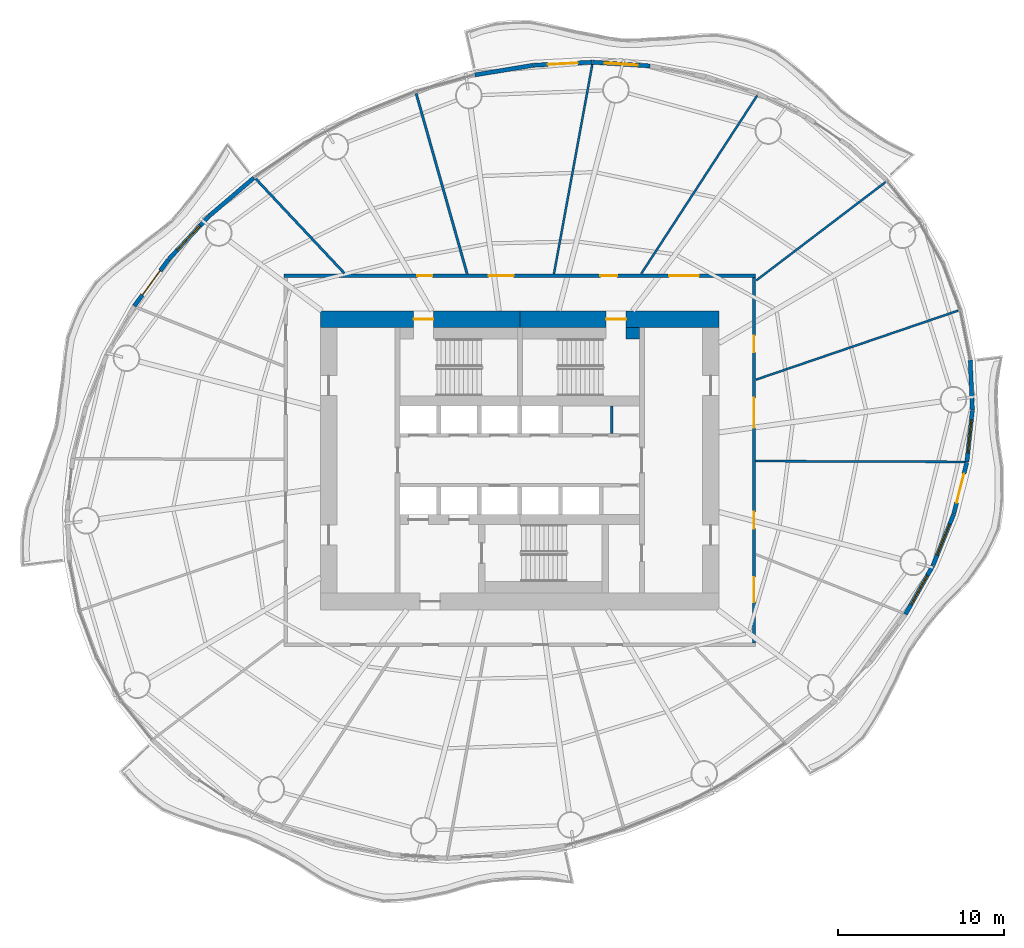
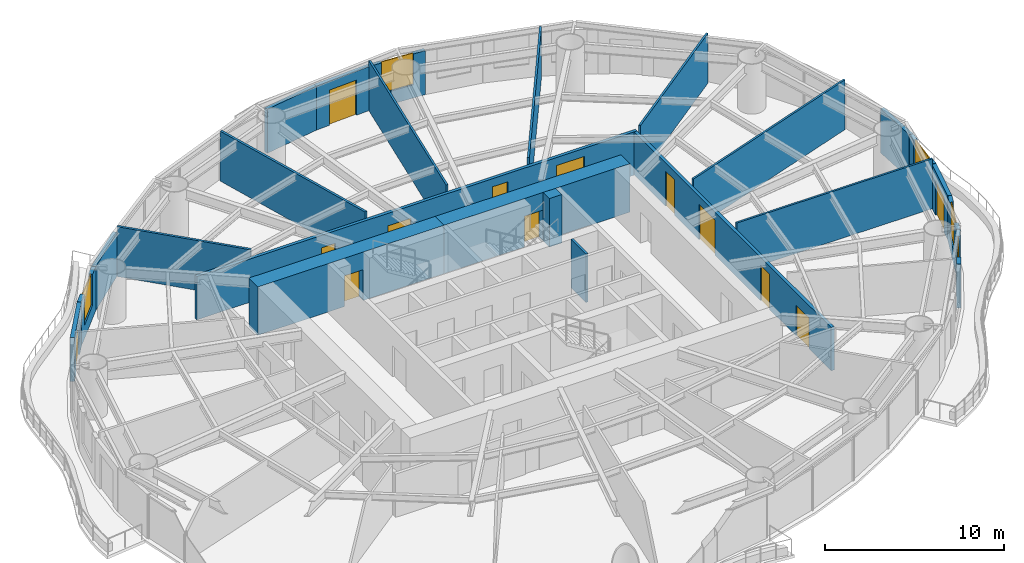
# One storey, part 10 of 14: 24 walls, 13 doors, 5 windows, 18 openings.
"""IFC4 building model written with IfcOpenShell, lengths in metres."""

from ifc_helpers import new_model, si_unit, direction, frame, frame_2d, origin, place, context, subcontext, project, spatial, rectangle, extrude, material, layer, layer_set, type_object, element, fill, save


model = new_model("IFC4")

# Units and contexts
model_context = context("Model", 3, precision=1e-05, world=origin(), true_north=direction((0.0, 1.0)))
body_context = subcontext(model_context, "Body", "Model", "MODEL_VIEW")
ifc_project = project(units=[si_unit("LENGTHUNIT", "METRE"), si_unit("AREAUNIT", "SQUARE_METRE"), si_unit("VOLUMEUNIT", "CUBIC_METRE"), si_unit("PLANEANGLEUNIT", "RADIAN"), si_unit("MASSUNIT", "GRAM", prefix="KILO")], contexts=[model_context])

# Site, building, storey
site_placement = place(None, origin())
site = spatial("IfcSite", under=ifc_project, at=site_placement, CompositionType="ELEMENT")
building_placement = place(site_placement, origin())
building = spatial("IfcBuilding", under=site, at=building_placement, Name="Vermilion Reach Broadcast Tower", CompositionType="ELEMENT")
storey_placement = place(building_placement, frame((0.0, 0.0, 131.800048828125)))
storey = spatial("IfcBuildingStorey", under=building, at=storey_placement, Name="L31", CompositionType="ELEMENT", Elevation=131.800048828125)

# Wall, opening, door
ifc_material_1 = material(Name="Concrete C70", Category="concrete")
ifc_layer_1 = layer(ifc_material_1, 1.0)
ifc_layer_set_1 = layer_set([ifc_layer_1], Name="Core outer wall 1000 mm Concrete C70")
wall_type_1 = type_object("IfcWallType", Name="Core outer wall 1000 mm Concrete C70", PredefinedType="SHEAR", material=ifc_layer_set_1)
wall_1_placement = place(storey_placement, frame((6.0, 8.5, 0.0), z_axis=(0.0, 0.0, 1.0), x_axis=(-1.0, 0.0, 0.0)))
wall_1 = element("IfcWall", 1, at=wall_1_placement, inside=storey, type_object=wall_type_1, Name="L31 core wall onE", PredefinedType="SHEAR", context=body_context, shape_type="SweptSolid", body=[
    extrude(rectangle(XDim=12.0, YDim=1.0, at=frame_2d((6.0, 0.0))), origin(), (0.0, 0.0, 1.0), 3.300048828125),
])
opening_1_placement = place(wall_1_placement, frame((5.60009765625, 0.0, 0.0)))
opening_1 = element("IfcOpeningElement", 2, at=opening_1_placement, cuts=wall_1, Name="Opening D01", PredefinedType="OPENING", context=body_context, shape_type="SweptSolid", body=[
    extrude(rectangle(XDim=1.199951171875, YDim=2.10009765625, at=frame_2d((0.60009765625, 1.050048828125))), frame((0.0, 0.510009765625, 0.0), z_axis=(0.0, -1.0, 0.0), x_axis=(1.0, 0.0, 0.0)), (0.0, 0.0, 1.0), 1.02001953125),
])
ifc_material_2 = material(Name="Painted steel fire door", Category="steel")
door_type_1 = type_object("IfcDoorType", Name="Stair door 1200 x 2100", OperationType="DOUBLE_DOOR_SINGLE_SWING", PredefinedType="NOTDEFINED", material=ifc_material_2)
door_1_placement = place(opening_1_placement, origin())
door_1 = element("IfcDoor", 3, at=door_1_placement, inside=storey, type_object=door_type_1, Name="L31 stair door ST2", OperationType="DOUBLE_DOOR_SINGLE_SWING", OverallHeight=2.10009765625, OverallWidth=1.199951171875, PredefinedType="NOTDEFINED", context=body_context, shape_type="SweptSolid", body=[
    extrude(rectangle(XDim=1.199951171875, YDim=2.10009765625, at=frame_2d((0.60009765625, 1.050048828125))), frame((0.0, 0.02490234375, 0.0), z_axis=(0.0, -1.0, 0.0), x_axis=(1.0, 0.0, 0.0)), (0.0, 0.0, 1.0), 0.050048828125),
])
fill(opening_1, door_1)

wall_2_placement = place(storey_placement, frame((-6.0, 8.5, 0.0), z_axis=(0.0, 0.0, 1.0), x_axis=(-1.0, 0.0, 0.0)))
wall_2 = element("IfcWall", 4, at=wall_2_placement, inside=storey, type_object=wall_type_1, Name="L31 core wall onW", PredefinedType="SHEAR", context=body_context, shape_type="SweptSolid", body=[
    extrude(rectangle(XDim=12.0, YDim=1.0, at=frame_2d((6.0, 0.0))), origin(), (0.0, 0.0, 1.0), 3.300048828125),
])
opening_2_placement = place(wall_2_placement, frame((5.199951171875, 0.0, 0.0)))
opening_2 = element("IfcOpeningElement", 5, at=opening_2_placement, cuts=wall_2, Name="Opening D01", PredefinedType="OPENING", context=body_context, shape_type="SweptSolid", body=[
    extrude(rectangle(XDim=1.199951171875, YDim=2.10009765625, at=frame_2d((0.60009765625, 1.050048828125))), frame((0.0, 0.510009765625, 0.0), z_axis=(0.0, -1.0, 0.0), x_axis=(1.0, 0.0, 0.0)), (0.0, 0.0, 1.0), 1.02001953125),
])
door_2_placement = place(opening_2_placement, origin())
door_2 = element("IfcDoor", 6, at=door_2_placement, inside=storey, type_object=door_type_1, Name="L31 stair door ST1", OperationType="DOUBLE_DOOR_SINGLE_SWING", OverallHeight=2.10009765625, OverallWidth=1.199951171875, PredefinedType="NOTDEFINED", context=body_context, shape_type="SweptSolid", body=[
    extrude(rectangle(XDim=1.199951171875, YDim=2.10009765625, at=frame_2d((0.60009765625, 1.050048828125))), frame((0.0, 0.02490234375, 0.0), z_axis=(0.0, -1.0, 0.0), x_axis=(1.0, 0.0, 0.0)), (0.0, 0.0, 1.0), 0.050048828125),
])
fill(opening_2, door_2)

# Walls
ifc_material_3 = material(Name="Masonry block", Category="masonry")
ifc_layer_2 = layer(ifc_material_3, 0.14990234375)
ifc_layer_set_2 = layer_set([ifc_layer_2], Name="Core partition wall 150 mm Masonry block")
wall_type_2 = type_object("IfcWallType", Name="Core partition wall 150 mm Masonry block", PredefinedType="PARTITIONING", material=ifc_layer_set_2)
wall_3_placement = place(storey_placement, frame((-0.468017578125, 1.60009765625, 0.0), z_axis=(0.0, 0.0, 1.0), x_axis=(0.0, 1.0, 0.0)))
element("IfcWall", 7, at=wall_3_placement, inside=storey, type_object=wall_type_2, Name="L31 core wall prN5532", PredefinedType="PARTITIONING", context=body_context, shape_type="SweptSolid", body=[
    extrude(rectangle(XDim=1.679931640625, YDim=0.14990234375, at=frame_2d((0.83984375, 0.0))), origin(), (0.0, 0.0, 1.0), 3.300048828125),
])
ifc_material_4 = material(Name="Concrete C70", Category="concrete")
ifc_layer_3 = layer(ifc_material_4, 0.699951171875)
ifc_layer_set_3 = layer_set([ifc_layer_3], Name="Core stair wall 700 mm Concrete C70")
wall_type_3 = type_object("IfcWallType", Name="Core stair wall 700 mm Concrete C70", PredefinedType="SHEAR", material=ifc_layer_set_3)
wall_4_placement = place(storey_placement, frame((0.39990234375, 7.64990234375, 0.0), z_axis=(0.0, 0.0, 1.0), x_axis=(1.0, 0.0, 0.0)))
element("IfcWall", 8, at=wall_4_placement, inside=storey, type_object=wall_type_3, Name="L31 core wall l2b", PredefinedType="SHEAR", context=body_context, shape_type="SweptSolid", body=[
    extrude(rectangle(XDim=0.800048828125, YDim=0.699951171875, at=frame_2d((0.39990234375, 0.0))), origin(), (0.0, 0.0, 1.0), 3.300048828125),
])
ifc_material_5 = material(Name="Fire-rated plasterboard on steel stud", Category="steel")
ifc_layer_4 = layer(ifc_material_5, 0.125)
ifc_layer_set_4 = layer_set([ifc_layer_4], Name="Partition 125 fire-rated stud")
wall_type_4 = type_object("IfcWallType", Name="Partition 125 fire-rated stud", PredefinedType="PARTITIONING", material=ifc_layer_set_4)
wall_5_placement = place(storey_placement, frame((16.01953125, 16.747802734375, 0.0), z_axis=(0.0, 0.0, 1.0), x_axis=(-0.795936459637, -0.605380171644, 0.0)))
element("IfcWall", 9, at=wall_5_placement, inside=storey, type_object=wall_type_4, Name="Partition 31.01", PredefinedType="PARTITIONING", context=body_context, shape_type="SweptSolid", body=[
    extrude(rectangle(XDim=9.77685546875, YDim=0.125, at=frame_2d((4.888427734375, 0.0))), origin(), (0.0, 0.0, 1.0), 3.39990234375),
])
wall_6_placement = place(storey_placement, frame((8.291015625, 21.959228515625, 0.0), z_axis=(0.0, 0.0, 1.0), x_axis=(-0.545464395773, -0.838133994624, 0.0)))
element("IfcWall", 10, at=wall_6_placement, inside=storey, type_object=wall_type_4, Name="Partition 31.02", PredefinedType="PARTITIONING", context=body_context, shape_type="SweptSolid", body=[
    extrude(rectangle(XDim=12.79638671875, YDim=0.125, at=frame_2d((6.398193359375, 0.0))), origin(), (0.0, 0.0, 1.0), 3.39990234375),
])
wall_7_placement = place(storey_placement, frame((-1.633544921875, 23.841064453125, 0.0), z_axis=(0.0, 0.0, 1.0), x_axis=(-0.180140227772, -0.983640939743, 0.0)))
element("IfcWall", 11, at=wall_7_placement, inside=storey, type_object=wall_type_4, Name="Partition 31.03", PredefinedType="PARTITIONING", context=body_context, shape_type="SweptSolid", body=[
    extrude(rectangle(XDim=12.83984375, YDim=0.125, at=frame_2d((6.419921875, 0.0))), origin(), (0.0, 0.0, 1.0), 3.39990234375),
])
wall_8_placement = place(storey_placement, frame((20.7919921875, -0.09521484375, 0.0), z_axis=(0.0, 0.0, 1.0), x_axis=(-0.999993705333, 0.003548139601, 0.0)))
element("IfcWall", 12, at=wall_8_placement, inside=storey, type_object=wall_type_4, Name="Partition 31.15", PredefinedType="PARTITIONING", context=body_context, shape_type="SweptSolid", body=[
    extrude(rectangle(XDim=12.591796875, YDim=0.125, at=frame_2d((6.2958984375, 0.0))), origin(), (0.0, 0.0, 1.0), 3.39990234375),
])
wall_9_placement = place(storey_placement, frame((20.402099609375, 9.0126953125, 0.0), z_axis=(0.0, 0.0, 1.0), x_axis=(-0.946378852939, -0.32305892142, 0.0)))
element("IfcWall", 13, at=wall_9_placement, inside=storey, type_object=wall_type_4, Name="Partition 31.16", PredefinedType="PARTITIONING", context=body_context, shape_type="SweptSolid", body=[
    extrude(rectangle(XDim=12.8720703125, YDim=0.125, at=frame_2d((6.43603515625, 0.0))), origin(), (0.0, 0.0, 1.0), 3.39990234375),
])
ifc_material_6 = material(Name="Lightweight concrete block, plastered", Category="concrete")
ifc_layer_5 = layer(ifc_material_6, 0.14990234375)
ifc_layer_set_5 = layer_set([ifc_layer_5], Name="Partition 150 lightweight block")
wall_type_5 = type_object("IfcWallType", Name="Partition 150 lightweight block", PredefinedType="PARTITIONING", material=ifc_layer_set_5)
wall_10_placement = place(storey_placement, frame((-12.2392578125, 22.081787109375, 0.0), z_axis=(0.0, 0.0, 1.0), x_axis=(0.271903007498, -0.962324661699, 0.0)))
element("IfcWall", 14, at=wall_10_placement, inside=storey, type_object=wall_type_5, Name="Partition 31.04", PredefinedType="PARTITIONING", context=body_context, shape_type="SweptSolid", body=[
    extrude(rectangle(XDim=11.28662109375, YDim=0.14990234375, at=frame_2d((5.643310546875, 0.0))), origin(), (0.0, 0.0, 1.0), 3.39990234375),
])
wall_11_placement = place(storey_placement, frame((-21.893310546875, 16.94140625, 0.0), z_axis=(0.0, 0.0, 1.0), x_axis=(0.684185696534, -0.729307844917, 0.0)))
element("IfcWall", 15, at=wall_11_placement, inside=storey, type_object=wall_type_5, Name="Partition 31.05", PredefinedType="PARTITIONING", context=body_context, shape_type="SweptSolid", body=[
    extrude(rectangle(XDim=7.80224609375, YDim=0.14990234375, at=frame_2d((3.901123046875, 0.0))), origin(), (0.0, 0.0, 1.0), 3.39990234375),
])

# Wall, opening, window
ifc_material_7 = material(Name="Terracotta rainscreen cladding", Category="masonry")
ifc_layer_6 = layer(ifc_material_7, 0.25)
ifc_layer_set_6 = layer_set([ifc_layer_6], Name="Terracotta rainscreen wall 250")
wall_type_6 = type_object("IfcWallType", Name="Terracotta rainscreen wall 250", PredefinedType="SOLIDWALL", material=ifc_layer_set_6)
wall_12_placement = place(storey_placement, frame((1.834228515625, 23.7392578125, 0.0), z_axis=(0.0, 0.0, 1.0), x_axis=(-0.997871338214, 0.065213437039, 0.0)))
wall_12 = element("IfcWall", 16, at=wall_12_placement, inside=storey, type_object=wall_type_6, Name="External wall L31 07", PredefinedType="SOLIDWALL", context=body_context, shape_type="SweptSolid", body=[
    extrude(rectangle(XDim=3.462890625, YDim=0.25, at=frame_2d((1.7314453125, 0.0))), origin(), (0.0, 0.0, 1.0), 3.0),
])
opening_3_placement = place(wall_12_placement, frame((0.7314453125, 0.0, 0.89990234375)))
opening_3 = element("IfcOpeningElement", 17, at=opening_3_placement, cuts=wall_12, Name="Opening W03", PredefinedType="OPENING", context=body_context, shape_type="SweptSolid", body=[
    extrude(rectangle(XDim=2.0, YDim=2.10009765625, at=frame_2d((1.0, 1.050048828125))), frame((0.0, 0.135009765625, 0.0), z_axis=(0.0, -1.0, 0.0), x_axis=(1.0, 0.0, 0.0)), (0.0, 0.0, 1.0), 0.27001953125),
])
ifc_material_8 = material(Name="Low-e laminated clear glass in aluminium frame", Category="aluminium")
window_type = type_object("IfcWindowType", Name="Punched window 2000 x 2100 sill 900", PartitioningType="SINGLE_PANEL", PredefinedType="WINDOW", material=ifc_material_8)
window_1_placement = place(opening_3_placement, origin())
window_1 = element("IfcWindow", 18, at=window_1_placement, inside=storey, type_object=window_type, Name="Window L31 07", OverallHeight=2.10009765625, OverallWidth=2.0, PartitioningType="SINGLE_PANEL", PredefinedType="WINDOW", context=body_context, shape_type="SweptSolid", body=[
    extrude(rectangle(XDim=2.0, YDim=2.10009765625, at=frame_2d((1.0, 1.050048828125))), frame((0.0, 0.030029296875, 0.0), z_axis=(0.0, -1.0, 0.0), x_axis=(1.0, 0.0, 0.0)), (0.0, 0.0, 1.0), 0.06005859375),
])
fill(opening_3, window_1)

# Wall, opening, door
wall_13_placement = place(storey_placement, frame((-1.64404296875, 23.96533203125, 0.0), z_axis=(0.0, 0.0, 1.0), x_axis=(-0.998669769299, -0.051562504677, 0.0)))
wall_13 = element("IfcWall", 19, at=wall_13_placement, inside=storey, type_object=wall_type_6, Name="External wall L31 08", PredefinedType="SOLIDWALL", context=body_context, shape_type="SweptSolid", body=[
    extrude(rectangle(XDim=3.536865234375, YDim=0.25, at=frame_2d((1.7685546875, 0.0))), origin(), (0.0, 0.0, 1.0), 3.0),
])
opening_4_placement = place(wall_13_placement, frame((0.868896484375, 0.0, 0.0)))
opening_4 = element("IfcOpeningElement", 20, at=opening_4_placement, cuts=wall_13, Name="Opening D70", PredefinedType="OPENING", context=body_context, shape_type="SweptSolid", body=[
    extrude(rectangle(XDim=1.800048828125, YDim=2.39990234375, at=frame_2d((0.89990234375, 1.199951171875))), frame((0.0, 0.135009765625, 0.0), z_axis=(0.0, -1.0, 0.0), x_axis=(1.0, 0.0, 0.0)), (0.0, 0.0, 1.0), 0.27001953125),
])
ifc_material_9 = material(Name="Low-e laminated clear glass in aluminium frame", Category="aluminium")
door_type_2 = type_object("IfcDoorType", Name="Balcony sliding door 1800 x 2400", OperationType="DOUBLE_DOOR_SLIDING", PredefinedType="DOOR", material=ifc_material_9)
door_3_placement = place(opening_4_placement, origin())
door_3 = element("IfcDoor", 21, at=door_3_placement, inside=storey, type_object=door_type_2, Name="Balcony door L31 run 02", OperationType="DOUBLE_DOOR_SLIDING", OverallHeight=2.39990234375, OverallWidth=1.800048828125, PredefinedType="DOOR", context=body_context, shape_type="SweptSolid", body=[
    extrude(rectangle(XDim=1.800048828125, YDim=2.39990234375, at=frame_2d((0.89990234375, 1.199951171875))), frame((0.0, 0.02490234375, 0.0), z_axis=(0.0, -1.0, 0.0), x_axis=(1.0, 0.0, 0.0)), (0.0, 0.0, 1.0), 0.050048828125),
])
fill(opening_4, door_3)

# Walls
for number, where, z_axis, x_axis, name in (
    (22, (-5.1982421875, 23.780517578125, 0.0), (0.0, 0.0, 1.0), (-0.986531036339, -0.163574186045, 0.0), "External wall L31 09"),
    (23, (-22.010986328125, 17.0048828125, 0.0), (0.0, 0.0, 1.0), (-0.760361656754, -0.649499923739, 0.0), "External wall L31 14"),
):
    element("IfcWall", number, at=place(storey_placement, frame(where, z_axis=z_axis, x_axis=x_axis)), inside=storey, type_object=wall_type_6, Name=name, PredefinedType="SOLIDWALL", context=body_context, shape_type="SweptSolid", body=[
        extrude(rectangle(XDim=3.55224609375, YDim=0.25, at=frame_2d((1.776123046875, 0.0))), origin(), (0.0, 0.0, 1.0), 3.0),
    ])

# Wall, opening, window
wall_14_placement = place(storey_placement, frame((-24.727783203125, 14.6826171875, 0.0), z_axis=(0.0, 0.0, 1.0), x_axis=(-0.68242890863, -0.730951971518, 0.0)))
wall_14 = element("IfcWall", 24, at=wall_14_placement, inside=storey, type_object=wall_type_6, Name="External wall L31 15", PredefinedType="SOLIDWALL", context=body_context, shape_type="SweptSolid", body=[
    extrude(rectangle(XDim=3.537109375, YDim=0.25, at=frame_2d((1.7685546875, 0.0))), origin(), (0.0, 0.0, 1.0), 3.0),
])
opening_5_placement = place(wall_14_placement, frame((0.7685546875, 0.0, 0.89990234375)))
opening_5 = element("IfcOpeningElement", 25, at=opening_5_placement, cuts=wall_14, Name="Opening W03", PredefinedType="OPENING", context=body_context, shape_type="SweptSolid", body=[
    extrude(rectangle(XDim=2.0, YDim=2.10009765625, at=frame_2d((1.0, 1.050048828125))), frame((0.0, 0.135009765625, 0.0), z_axis=(0.0, -1.0, 0.0), x_axis=(1.0, 0.0, 0.0)), (0.0, 0.0, 1.0), 0.27001953125),
])
window_2_placement = place(opening_5_placement, origin())
window_2 = element("IfcWindow", 26, at=window_2_placement, inside=storey, type_object=window_type, Name="Window L31 15", OverallHeight=2.10009765625, OverallWidth=2.0, PartitioningType="SINGLE_PANEL", PredefinedType="WINDOW", context=body_context, shape_type="SweptSolid", body=[
    extrude(rectangle(XDim=2.0, YDim=2.10009765625, at=frame_2d((1.0, 1.050048828125))), frame((0.0, 0.030029296875, 0.0), z_axis=(0.0, -1.0, 0.0), x_axis=(1.0, 0.0, 0.0)), (0.0, 0.0, 1.0), 0.06005859375),
])
fill(opening_5, window_2)

# Wall, opening, door
wall_15_placement = place(storey_placement, frame((-27.156005859375, 12.079833984375, 0.0), z_axis=(0.0, 0.0, 1.0), x_axis=(-0.592551943195, -0.805532243064, 0.0)))
wall_15 = element("IfcWall", 27, at=wall_15_placement, inside=storey, type_object=wall_type_6, Name="External wall L31 16", PredefinedType="SOLIDWALL", context=body_context, shape_type="SweptSolid", body=[
    extrude(rectangle(XDim=3.462890625, YDim=0.25, at=frame_2d((1.7314453125, 0.0))), origin(), (0.0, 0.0, 1.0), 3.0),
])
opening_6_placement = place(wall_15_placement, frame((0.83203125, 0.0, 0.0)))
opening_6 = element("IfcOpeningElement", 28, at=opening_6_placement, cuts=wall_15, Name="Opening D70", PredefinedType="OPENING", context=body_context, shape_type="SweptSolid", body=[
    extrude(rectangle(XDim=1.800048828125, YDim=2.39990234375, at=frame_2d((0.89990234375, 1.199951171875))), frame((0.0, 0.135009765625, 0.0), z_axis=(0.0, -1.0, 0.0), x_axis=(1.0, 0.0, 0.0)), (0.0, 0.0, 1.0), 0.27001953125),
])
door_4_placement = place(opening_6_placement, origin())
door_4 = element("IfcDoor", 29, at=door_4_placement, inside=storey, type_object=door_type_2, Name="Balcony door L31 run 04", OperationType="DOUBLE_DOOR_SLIDING", OverallHeight=2.39990234375, OverallWidth=1.800048828125, PredefinedType="DOOR", context=body_context, shape_type="SweptSolid", body=[
    extrude(rectangle(XDim=1.800048828125, YDim=2.39990234375, at=frame_2d((0.89990234375, 1.199951171875))), frame((0.0, 0.02490234375, 0.0), z_axis=(0.0, -1.0, 0.0), x_axis=(1.0, 0.0, 0.0)), (0.0, 0.0, 1.0), 0.050048828125),
])
fill(opening_6, door_4)

# Wall, opening, window
wall_16_placement = place(storey_placement, frame((17.220703125, -9.270751953125, 0.0), z_axis=(0.0, 0.0, 1.0), x_axis=(0.489962712025, 0.871743391616, 0.0)))
wall_16 = element("IfcWall", 30, at=wall_16_placement, inside=storey, type_object=wall_type_6, Name="External wall L31 41", PredefinedType="SOLIDWALL", context=body_context, shape_type="SweptSolid", body=[
    extrude(rectangle(XDim=3.37841796875, YDim=0.25, at=frame_2d((1.689208984375, 0.0))), origin(), (0.0, 0.0, 1.0), 3.0),
])
opening_7_placement = place(wall_16_placement, frame((0.689208984375, 0.0, 0.89990234375)))
opening_7 = element("IfcOpeningElement", 31, at=opening_7_placement, cuts=wall_16, Name="Opening W03", PredefinedType="OPENING", context=body_context, shape_type="SweptSolid", body=[
    extrude(rectangle(XDim=2.0, YDim=2.10009765625, at=frame_2d((1.0, 1.050048828125))), frame((0.0, 0.135009765625, 0.0), z_axis=(0.0, -1.0, 0.0), x_axis=(1.0, 0.0, 0.0)), (0.0, 0.0, 1.0), 0.27001953125),
])
window_3_placement = place(opening_7_placement, origin())
window_3 = element("IfcWindow", 32, at=window_3_placement, inside=storey, type_object=window_type, Name="Window L31 41", OverallHeight=2.10009765625, OverallWidth=2.0, PartitioningType="SINGLE_PANEL", PredefinedType="WINDOW", context=body_context, shape_type="SweptSolid", body=[
    extrude(rectangle(XDim=2.0, YDim=2.10009765625, at=frame_2d((1.0, 1.050048828125))), frame((0.0, 0.030029296875, 0.0), z_axis=(0.0, -1.0, 0.0), x_axis=(1.0, 0.0, 0.0)), (0.0, 0.0, 1.0), 0.06005859375),
])
fill(opening_7, window_3)

wall_17_placement = place(storey_placement, frame((18.886474609375, -6.303955078125, 0.0), z_axis=(0.0, 0.0, 1.0), x_axis=(0.374307156661, 0.927304778631, 0.0)))
wall_17 = element("IfcWall", 33, at=wall_17_placement, inside=storey, type_object=wall_type_6, Name="External wall L31 42", PredefinedType="SOLIDWALL", context=body_context, shape_type="SweptSolid", body=[
    extrude(rectangle(XDim=3.28857421875, YDim=0.25, at=frame_2d((1.644287109375, 0.0))), origin(), (0.0, 0.0, 1.0), 3.0),
])
opening_8_placement = place(wall_17_placement, frame((0.644287109375, 0.0, 0.89990234375)))
opening_8 = element("IfcOpeningElement", 34, at=opening_8_placement, cuts=wall_17, Name="Opening W03", PredefinedType="OPENING", context=body_context, shape_type="SweptSolid", body=[
    extrude(rectangle(XDim=2.0, YDim=2.10009765625, at=frame_2d((1.0, 1.050048828125))), frame((0.0, 0.135009765625, 0.0), z_axis=(0.0, -1.0, 0.0), x_axis=(1.0, 0.0, 0.0)), (0.0, 0.0, 1.0), 0.27001953125),
])
window_4_placement = place(opening_8_placement, origin())
window_4 = element("IfcWindow", 35, at=window_4_placement, inside=storey, type_object=window_type, Name="Window L31 42", OverallHeight=2.10009765625, OverallWidth=2.0, PartitioningType="SINGLE_PANEL", PredefinedType="WINDOW", context=body_context, shape_type="SweptSolid", body=[
    extrude(rectangle(XDim=2.0, YDim=2.10009765625, at=frame_2d((1.0, 1.050048828125))), frame((0.0, 0.030029296875, 0.0), z_axis=(0.0, -1.0, 0.0), x_axis=(1.0, 0.0, 0.0)), (0.0, 0.0, 1.0), 0.06005859375),
])
fill(opening_8, window_4)

# Wall, opening, door
wall_18_placement = place(storey_placement, frame((20.125244140625, -3.23095703125, 0.0), z_axis=(0.0, 0.0, 1.0), x_axis=(0.245873914642, 0.969301819919, 0.0)))
wall_18 = element("IfcWall", 36, at=wall_18_placement, inside=storey, type_object=wall_type_6, Name="External wall L31 43", PredefinedType="SOLIDWALL", context=body_context, shape_type="SweptSolid", body=[
    extrude(rectangle(XDim=3.19921875, YDim=0.25, at=frame_2d((1.599609375, 0.0))), origin(), (0.0, 0.0, 1.0), 3.0),
])
opening_9_placement = place(wall_18_placement, frame((0.699951171875, 0.0, 0.0)))
opening_9 = element("IfcOpeningElement", 37, at=opening_9_placement, cuts=wall_18, Name="Opening D70", PredefinedType="OPENING", context=body_context, shape_type="SweptSolid", body=[
    extrude(rectangle(XDim=1.800048828125, YDim=2.39990234375, at=frame_2d((0.89990234375, 1.199951171875))), frame((0.0, 0.135009765625, 0.0), z_axis=(0.0, -1.0, 0.0), x_axis=(1.0, 0.0, 0.0)), (0.0, 0.0, 1.0), 0.27001953125),
])
door_5_placement = place(opening_9_placement, origin())
door_5 = element("IfcDoor", 38, at=door_5_placement, inside=storey, type_object=door_type_2, Name="Balcony door L31 run 11", OperationType="DOUBLE_DOOR_SLIDING", OverallHeight=2.39990234375, OverallWidth=1.800048828125, PredefinedType="DOOR", context=body_context, shape_type="SweptSolid", body=[
    extrude(rectangle(XDim=1.800048828125, YDim=2.39990234375, at=frame_2d((0.89990234375, 1.199951171875))), frame((0.0, 0.02490234375, 0.0), z_axis=(0.0, -1.0, 0.0), x_axis=(1.0, 0.0, 0.0)), (0.0, 0.0, 1.0), 0.050048828125),
])
fill(opening_9, door_5)

# Wall, opening, window
wall_19_placement = place(storey_placement, frame((20.916259765625, -0.1044921875, 0.0), z_axis=(0.0, 0.0, 1.0), x_axis=(0.105985463216, 0.994367679275, 0.0)))
wall_19 = element("IfcWall", 39, at=wall_19_placement, inside=storey, type_object=wall_type_6, Name="External wall L31 44", PredefinedType="SOLIDWALL", context=body_context, shape_type="SweptSolid", body=[
    extrude(rectangle(XDim=3.11669921875, YDim=0.25, at=frame_2d((1.558349609375, 0.0))), origin(), (0.0, 0.0, 1.0), 3.0),
])
opening_10_placement = place(wall_19_placement, frame((0.558349609375, 0.0, 0.89990234375)))
opening_10 = element("IfcOpeningElement", 40, at=opening_10_placement, cuts=wall_19, Name="Opening W03", PredefinedType="OPENING", context=body_context, shape_type="SweptSolid", body=[
    extrude(rectangle(XDim=2.0, YDim=2.10009765625, at=frame_2d((1.0, 1.050048828125))), frame((0.0, 0.135009765625, 0.0), z_axis=(0.0, -1.0, 0.0), x_axis=(1.0, 0.0, 0.0)), (0.0, 0.0, 1.0), 0.27001953125),
])
window_5_placement = place(opening_10_placement, origin())
window_5 = element("IfcWindow", 41, at=window_5_placement, inside=storey, type_object=window_type, Name="Window L31 44", OverallHeight=2.10009765625, OverallWidth=2.0, PartitioningType="SINGLE_PANEL", PredefinedType="WINDOW", context=body_context, shape_type="SweptSolid", body=[
    extrude(rectangle(XDim=2.0, YDim=2.10009765625, at=frame_2d((1.0, 1.050048828125))), frame((0.0, 0.030029296875, 0.0), z_axis=(0.0, -1.0, 0.0), x_axis=(1.0, 0.0, 0.0)), (0.0, 0.0, 1.0), 0.06005859375),
])
fill(opening_10, window_5)

# Wall
wall_20_placement = place(storey_placement, frame((21.247314453125, 3.021240234375, 0.0), z_axis=(0.0, 0.0, 1.0), x_axis=(-0.042876894393, 0.999080363098, 0.0)))
element("IfcWall", 42, at=wall_20_placement, inside=storey, type_object=wall_type_6, Name="External wall L31 45", PredefinedType="SOLIDWALL", context=body_context, shape_type="SweptSolid", body=[
    extrude(rectangle(XDim=3.00634765625, YDim=0.25, at=frame_2d((1.503173828125, 0.0))), origin(), (0.0, 0.0, 1.0), 3.0),
])

# Wall, openings, doors
ifc_material_10 = material(Name="Fire-rated gypsum board partition")
ifc_layer_7 = layer(ifc_material_10, 0.199951171875)
ifc_layer_set_7 = layer_set([ifc_layer_7], Name="Under girder: Corridor wall 200 fire-rated")
wall_type_7 = type_object("IfcWallType", Name="Under girder: Corridor wall 200 fire-rated", PredefinedType="PARTITIONING", material=ifc_layer_set_7)
wall_21_placement = place(storey_placement, frame((-20.199951171875, 11.10009765625, 0.0), z_axis=(0.0, 0.0, 1.0), x_axis=(1.0, 0.0, 0.0)))
wall_21 = element("IfcWall", 43, at=wall_21_placement, inside=storey, type_object=wall_type_7, Name="Corridor wall 31.N", PredefinedType="PARTITIONING", context=body_context, shape_type="SweptSolid", body=[
    extrude(rectangle(XDim=28.39990234375, YDim=0.199951171875, at=frame_2d((14.199951171875, 0.0))), origin(), (0.0, 0.0, 1.0), 2.949951171875),
])
opening_11_placement = place(wall_21_placement, frame((23.187255859375, 0.0, 0.0)))
opening_11 = element("IfcOpeningElement", 44, at=opening_11_placement, cuts=wall_21, Name="Opening D27", PredefinedType="OPENING", context=body_context, shape_type="SweptSolid", body=[
    extrude(rectangle(XDim=1.800048828125, YDim=2.39990234375, at=frame_2d((0.89990234375, 1.199951171875))), frame((0.0, 0.10986328125, 0.0), z_axis=(0.0, -1.0, 0.0), x_axis=(1.0, 0.0, 0.0)), (0.0, 0.0, 1.0), 0.219970703125),
])
opening_12_placement = place(wall_21_placement, frame((19.052490234375, 0.0, 0.0)))
opening_12 = element("IfcOpeningElement", 45, at=opening_12_placement, cuts=wall_21, Name="Opening D23", PredefinedType="OPENING", context=body_context, shape_type="SweptSolid", body=[
    extrude(rectangle(XDim=1.0, YDim=2.39990234375, at=frame_2d((0.5, 1.199951171875))), frame((0.0, 0.10986328125, 0.0), z_axis=(0.0, -1.0, 0.0), x_axis=(1.0, 0.0, 0.0)), (0.0, 0.0, 1.0), 0.219970703125),
])
opening_13_placement = place(wall_21_placement, frame((12.320068359375, 0.0, 0.0)))
opening_13 = element("IfcOpeningElement", 46, at=opening_13_placement, cuts=wall_21, Name="Opening D24", PredefinedType="OPENING", context=body_context, shape_type="SweptSolid", body=[
    extrude(rectangle(XDim=1.5, YDim=2.10009765625, at=frame_2d((0.75, 1.050048828125))), frame((0.0, 0.10986328125, 0.0), z_axis=(0.0, -1.0, 0.0), x_axis=(1.0, 0.0, 0.0)), (0.0, 0.0, 1.0), 0.219970703125),
])
opening_14_placement = place(wall_21_placement, frame((8.03271484375, 0.0, 0.0)))
opening_14 = element("IfcOpeningElement", 47, at=opening_14_placement, cuts=wall_21, Name="Opening D22", PredefinedType="OPENING", context=body_context, shape_type="SweptSolid", body=[
    extrude(rectangle(XDim=0.89990234375, YDim=2.10009765625, at=frame_2d((0.449951171875, 1.050048828125))), frame((0.0, 0.10986328125, 0.0), z_axis=(0.0, -1.0, 0.0), x_axis=(1.0, 0.0, 0.0)), (0.0, 0.0, 1.0), 0.219970703125),
])
ifc_material_11 = material(Name="Timber door leaf", Category="wood")
door_type_3 = type_object("IfcDoorType", Name="Door pair 1500x2100", OperationType="NOTDEFINED", PredefinedType="DOOR", material=ifc_material_11)
door_6_placement = place(opening_13_placement, origin())
door_6 = element("IfcDoor", 48, at=door_6_placement, inside=storey, type_object=door_type_3, Name="Door 31.03", OperationType="DOUBLE_DOOR_SINGLE_SWING", OverallHeight=2.10009765625, OverallWidth=1.5, PredefinedType="DOOR", context=body_context, shape_type="SweptSolid", body=[
    extrude(rectangle(XDim=1.5, YDim=2.10009765625, at=frame_2d((0.75, 1.050048828125))), frame((0.0, 0.02490234375, 0.0), z_axis=(0.0, -1.0, 0.0), x_axis=(1.0, 0.0, 0.0)), (0.0, 0.0, 1.0), 0.050048828125),
])
fill(opening_13, door_6)
ifc_material_12 = material(Name="Acoustic timber door leaf", Category="wood")
door_type_4 = type_object("IfcDoorType", Name="Door pair 1800x2400", OperationType="NOTDEFINED", PredefinedType="DOOR", material=ifc_material_12)
door_7_placement = place(opening_11_placement, origin())
door_7 = element("IfcDoor", 49, at=door_7_placement, inside=storey, type_object=door_type_4, Name="Door 31.01", OperationType="DOUBLE_DOOR_SINGLE_SWING", OverallHeight=2.39990234375, OverallWidth=1.800048828125, PredefinedType="DOOR", context=body_context, shape_type="SweptSolid", body=[
    extrude(rectangle(XDim=1.800048828125, YDim=2.39990234375, at=frame_2d((0.89990234375, 1.199951171875))), frame((0.0, 0.02490234375, 0.0), z_axis=(0.0, -1.0, 0.0), x_axis=(1.0, 0.0, 0.0)), (0.0, 0.0, 1.0), 0.050048828125),
])
fill(opening_11, door_7)
ifc_material_13 = material(Name="Veneered timber door leaf", Category="wood")
door_type_5 = type_object("IfcDoorType", Name="Door single 1000x2400", OperationType="NOTDEFINED", PredefinedType="DOOR", material=ifc_material_13)
door_8_placement = place(opening_12_placement, origin())
door_8 = element("IfcDoor", 50, at=door_8_placement, inside=storey, type_object=door_type_5, Name="Door 31.02", OperationType="SINGLE_SWING_RIGHT", OverallHeight=2.39990234375, OverallWidth=1.0, PredefinedType="DOOR", context=body_context, shape_type="SweptSolid", body=[
    extrude(rectangle(XDim=1.0, YDim=2.39990234375, at=frame_2d((0.5, 1.199951171875))), frame((0.0, 0.02490234375, 0.0), z_axis=(0.0, -1.0, 0.0), x_axis=(1.0, 0.0, 0.0)), (0.0, 0.0, 1.0), 0.050048828125),
])
fill(opening_12, door_8)
ifc_material_14 = material(Name="Timber door leaf", Category="wood")
door_type_6 = type_object("IfcDoorType", Name="Door single 900x2100", OperationType="NOTDEFINED", PredefinedType="DOOR", material=ifc_material_14)
door_9_placement = place(opening_14_placement, origin())
door_9 = element("IfcDoor", 51, at=door_9_placement, inside=storey, type_object=door_type_6, Name="Door 31.04", OperationType="SINGLE_SWING_RIGHT", OverallHeight=2.10009765625, OverallWidth=0.89990234375, PredefinedType="DOOR", context=body_context, shape_type="SweptSolid", body=[
    extrude(rectangle(XDim=0.89990234375, YDim=2.10009765625, at=frame_2d((0.449951171875, 1.050048828125))), frame((0.0, 0.02490234375, 0.0), z_axis=(0.0, -1.0, 0.0), x_axis=(1.0, 0.0, 0.0)), (0.0, 0.0, 1.0), 0.050048828125),
])
fill(opening_14, door_9)

wall_22_placement = place(storey_placement, frame((8.10009765625, 11.0, 0.0), z_axis=(0.0, 0.0, 1.0), x_axis=(0.0, -1.0, 0.0)))
wall_22 = element("IfcWall", 52, at=wall_22_placement, inside=storey, type_object=wall_type_7, Name="Corridor wall 31.E", PredefinedType="PARTITIONING", context=body_context, shape_type="SweptSolid", body=[
    extrude(rectangle(XDim=22.0, YDim=0.199951171875, at=frame_2d((11.0, 0.0))), origin(), (0.0, 0.0, 1.0), 2.949951171875),
])
opening_15_placement = place(wall_22_placement, frame((18.042724609375, 0.0, 0.0)))
opening_15 = element("IfcOpeningElement", 53, at=opening_15_placement, cuts=wall_22, Name="Opening D24", PredefinedType="OPENING", context=body_context, shape_type="SweptSolid", body=[
    extrude(rectangle(XDim=1.5, YDim=2.10009765625, at=frame_2d((0.75, 1.050048828125))), frame((0.0, 0.10986328125, 0.0), z_axis=(0.0, -1.0, 0.0), x_axis=(1.0, 0.0, 0.0)), (0.0, 0.0, 1.0), 0.219970703125),
])
opening_16_placement = place(wall_22_placement, frame((14.11279296875, 0.0, 0.0)))
opening_16 = element("IfcOpeningElement", 54, at=opening_16_placement, cuts=wall_22, Name="Opening D23", PredefinedType="OPENING", context=body_context, shape_type="SweptSolid", body=[
    extrude(rectangle(XDim=1.0, YDim=2.39990234375, at=frame_2d((0.5, 1.199951171875))), frame((0.0, 0.10986328125, 0.0), z_axis=(0.0, -1.0, 0.0), x_axis=(1.0, 0.0, 0.0)), (0.0, 0.0, 1.0), 0.219970703125),
])
opening_17_placement = place(wall_22_placement, frame((7.2470703125, 0.0, 0.0)))
opening_17 = element("IfcOpeningElement", 55, at=opening_17_placement, cuts=wall_22, Name="Opening D27", PredefinedType="OPENING", context=body_context, shape_type="SweptSolid", body=[
    extrude(rectangle(XDim=1.800048828125, YDim=2.39990234375, at=frame_2d((0.89990234375, 1.199951171875))), frame((0.0, 0.10986328125, 0.0), z_axis=(0.0, -1.0, 0.0), x_axis=(1.0, 0.0, 0.0)), (0.0, 0.0, 1.0), 0.219970703125),
])
opening_18_placement = place(wall_22_placement, frame((3.501708984375, 0.0, 0.0)))
opening_18 = element("IfcOpeningElement", 56, at=opening_18_placement, cuts=wall_22, Name="Opening D23", PredefinedType="OPENING", context=body_context, shape_type="SweptSolid", body=[
    extrude(rectangle(XDim=1.0, YDim=2.39990234375, at=frame_2d((0.5, 1.199951171875))), frame((0.0, 0.10986328125, 0.0), z_axis=(0.0, -1.0, 0.0), x_axis=(1.0, 0.0, 0.0)), (0.0, 0.0, 1.0), 0.219970703125),
])
door_10_placement = place(opening_15_placement, origin())
door_10 = element("IfcDoor", 57, at=door_10_placement, inside=storey, type_object=door_type_3, Name="Door 31.13", OperationType="DOUBLE_DOOR_SINGLE_SWING", OverallHeight=2.10009765625, OverallWidth=1.5, PredefinedType="DOOR", context=body_context, shape_type="SweptSolid", body=[
    extrude(rectangle(XDim=1.5, YDim=2.10009765625, at=frame_2d((0.75, 1.050048828125))), frame((0.0, 0.02490234375, 0.0), z_axis=(0.0, -1.0, 0.0), x_axis=(1.0, 0.0, 0.0)), (0.0, 0.0, 1.0), 0.050048828125),
])
fill(opening_15, door_10)
door_11_placement = place(opening_17_placement, origin())
door_11 = element("IfcDoor", 58, at=door_11_placement, inside=storey, type_object=door_type_4, Name="Door 31.15", OperationType="DOUBLE_DOOR_SINGLE_SWING", OverallHeight=2.39990234375, OverallWidth=1.800048828125, PredefinedType="DOOR", context=body_context, shape_type="SweptSolid", body=[
    extrude(rectangle(XDim=1.800048828125, YDim=2.39990234375, at=frame_2d((0.89990234375, 1.199951171875))), frame((0.0, 0.02490234375, 0.0), z_axis=(0.0, -1.0, 0.0), x_axis=(1.0, 0.0, 0.0)), (0.0, 0.0, 1.0), 0.050048828125),
])
fill(opening_17, door_11)
door_12_placement = place(opening_16_placement, origin())
door_12 = element("IfcDoor", 59, at=door_12_placement, inside=storey, type_object=door_type_5, Name="Door 31.14", OperationType="SINGLE_SWING_RIGHT", OverallHeight=2.39990234375, OverallWidth=1.0, PredefinedType="DOOR", context=body_context, shape_type="SweptSolid", body=[
    extrude(rectangle(XDim=1.0, YDim=2.39990234375, at=frame_2d((0.5, 1.199951171875))), frame((0.0, 0.02490234375, 0.0), z_axis=(0.0, -1.0, 0.0), x_axis=(1.0, 0.0, 0.0)), (0.0, 0.0, 1.0), 0.050048828125),
])
fill(opening_16, door_12)
door_13_placement = place(opening_18_placement, origin())
door_13 = element("IfcDoor", 60, at=door_13_placement, inside=storey, type_object=door_type_5, Name="Door 31.16", OperationType="SINGLE_SWING_RIGHT", OverallHeight=2.39990234375, OverallWidth=1.0, PredefinedType="DOOR", context=body_context, shape_type="SweptSolid", body=[
    extrude(rectangle(XDim=1.0, YDim=2.39990234375, at=frame_2d((0.5, 1.199951171875))), frame((0.0, 0.02490234375, 0.0), z_axis=(0.0, -1.0, 0.0), x_axis=(1.0, 0.0, 0.0)), (0.0, 0.0, 1.0), 0.050048828125),
])
fill(opening_18, door_13)

save(model, "model.ifc")
